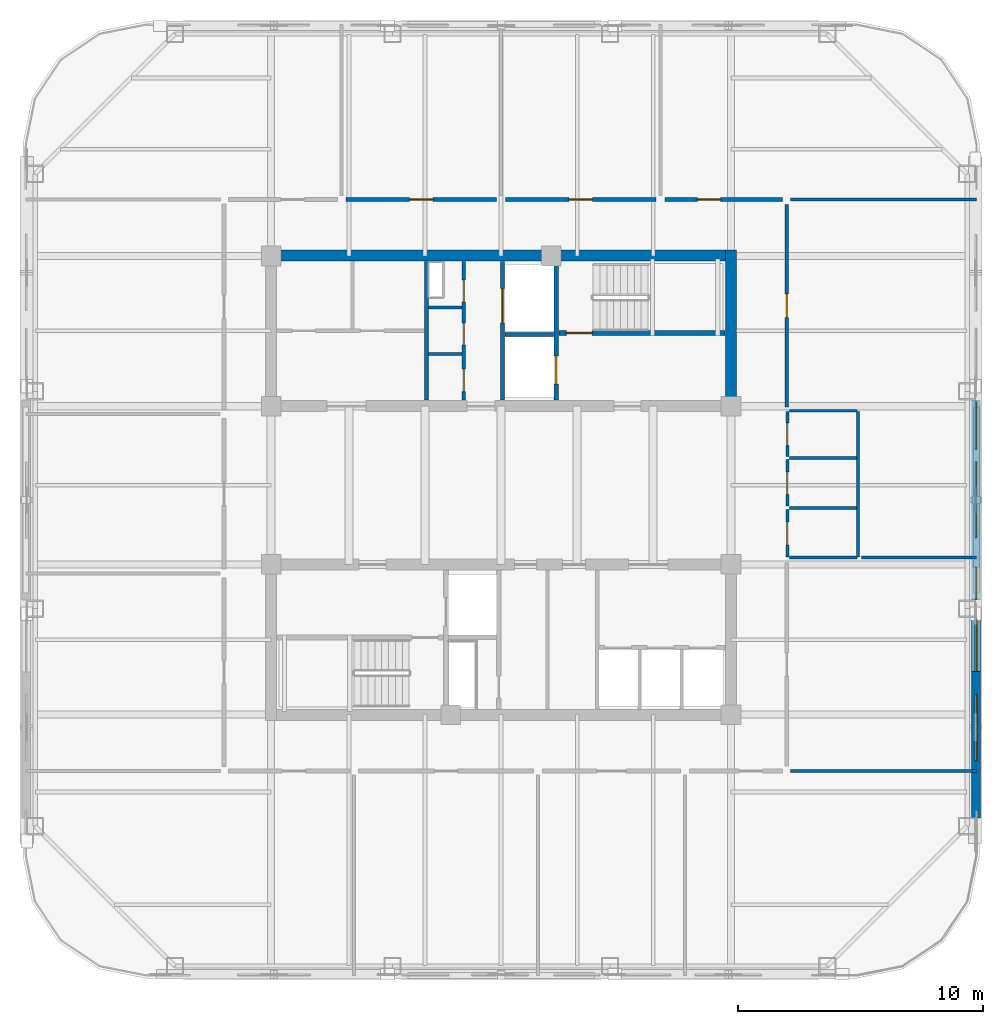
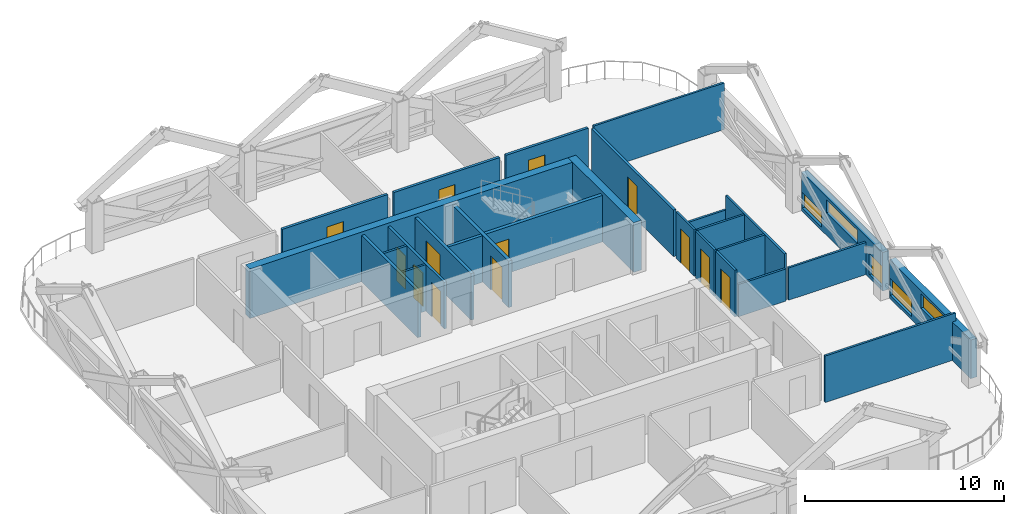
# One storey, part 5 of 9: 27 walls, 13 doors, 5 windows, 18 openings.
"""IFC4 building model written with IfcOpenShell, lengths in metres."""

from ifc_helpers import new_model, si_unit, direction, frame, frame_2d, origin, place, context, subcontext, project, spatial, rectangle, extrude, material, layer, layer_set, type_object, element, fill, save


model = new_model("IFC4")

# Units and contexts
model_context = context("Model", 3, precision=1e-05, world=origin(), true_north=direction((0.0, 1.0)))
body_context = subcontext(model_context, "Body", "Model", "MODEL_VIEW")
ifc_project = project(units=[si_unit("LENGTHUNIT", "METRE"), si_unit("AREAUNIT", "SQUARE_METRE"), si_unit("VOLUMEUNIT", "CUBIC_METRE"), si_unit("PLANEANGLEUNIT", "RADIAN"), si_unit("MASSUNIT", "GRAM", prefix="KILO")], contexts=[model_context])

# Site, building, storey
site_placement = place(None, origin())
site = spatial("IfcSite", under=ifc_project, at=site_placement, CompositionType="ELEMENT")
building_placement = place(site_placement, origin())
building = spatial("IfcBuilding", under=site, at=building_placement, Name="Qhalaya Broadcast Tower", CompositionType="ELEMENT")
storey_placement = place(building_placement, frame((0.0, 0.0, 217.800048828125)))
storey = spatial("IfcBuildingStorey", under=building, at=storey_placement, Name="L64", CompositionType="ELEMENT", Elevation=217.800048828125)

# Wall, openings, doors
ifc_material_1 = material(Name="Gypsum Acoustic Partition")
ifc_layer_1 = layer(ifc_material_1, 0.14990234375, Name="Gypsum Acoustic Partition")
ifc_layer_set_1 = layer_set([ifc_layer_1], Name="Gypsum Acoustic Partition")
wall_type_1 = type_object("IfcWallType", Name="Corridor & Tenancy Acoustic Partition 150", PredefinedType="PARTITIONING", material=ifc_layer_set_1)
wall_1_placement = place(storey_placement, frame((-1.52001953125, 4.070068359375, 0.0), z_axis=(0.0, 0.0, 1.0), x_axis=(0.0, 1.0, 0.0)))
wall_1 = element("IfcWall", 1, at=wall_1_placement, inside=storey, type_object=wall_type_1, Name="L64 Partition Wall NCW-SVL", PredefinedType="PARTITIONING", context=body_context, shape_type="SweptSolid", body=[
    extrude(rectangle(XDim=5.659912109375, YDim=0.14990234375, at=frame_2d((2.830078125, 0.0))), origin(), (0.0, 0.0, 1.0), 2.85986328125),
])
opening_1_placement = place(wall_1_placement, frame((4.0, 0.0, 0.0)))
opening_1 = element("IfcOpeningElement", 2, at=opening_1_placement, cuts=wall_1, Name="Opening D06", PredefinedType="OPENING", context=body_context, shape_type="SweptSolid", body=[
    extrude(rectangle(XDim=0.89990234375, YDim=2.050048828125, at=frame_2d((0.449951171875, 1.02490234375))), frame((0.0, 0.0869140625, 0.0), z_axis=(0.0, -1.0, 0.0), x_axis=(1.0, 0.0, 0.0)), (0.0, 0.0, 1.0), 0.173828125),
])
opening_2_placement = place(wall_1_placement, frame((2.25, 0.0, 0.0)))
opening_2 = element("IfcOpeningElement", 3, at=opening_2_placement, cuts=wall_1, Name="Opening D06", PredefinedType="OPENING", context=body_context, shape_type="SweptSolid", body=[
    extrude(rectangle(XDim=0.89990234375, YDim=2.050048828125, at=frame_2d((0.449951171875, 1.02490234375))), frame((0.0, 0.0869140625, 0.0), z_axis=(0.0, -1.0, 0.0), x_axis=(1.0, 0.0, 0.0)), (0.0, 0.0, 1.0), 0.173828125),
])
opening_3_placement = place(wall_1_placement, frame((0.35009765625, 0.0, 0.0)))
opening_3 = element("IfcOpeningElement", 4, at=opening_3_placement, cuts=wall_1, Name="Opening D12", PredefinedType="OPENING", context=body_context, shape_type="SweptSolid", body=[
    extrude(rectangle(XDim=0.919921875, YDim=2.10009765625, at=frame_2d((0.4599609375, 1.050048828125))), frame((0.0, 0.0869140625, 0.0), z_axis=(0.0, -1.0, 0.0), x_axis=(1.0, 0.0, 0.0)), (0.0, 0.0, 1.0), 0.173828125),
])
ifc_material_2 = material(Name="Timber Veneer Acoustic Door", Category="wood")
door_type_1 = type_object("IfcDoorType", Name="Accessible WC & Restroom Door D12", OperationType="NOTDEFINED", PredefinedType="DOOR", material=ifc_material_2)
door_1_placement = place(opening_3_placement, origin())
door_1 = element("IfcDoor", 5, at=door_1_placement, inside=storey, type_object=door_type_1, Name="L64 Door D-NCWC", OperationType="SINGLE_SWING_RIGHT", OverallHeight=2.10009765625, OverallWidth=0.919921875, PredefinedType="DOOR", context=body_context, shape_type="SweptSolid", body=[
    extrude(rectangle(XDim=0.919921875, YDim=2.10009765625, at=frame_2d((0.4599609375, 1.050048828125))), frame((0.0, 0.02490234375, 0.0), z_axis=(0.0, -1.0, 0.0), x_axis=(1.0, 0.0, 0.0)), (0.0, 0.0, 1.0), 0.050048828125),
])
fill(opening_3, door_1)
ifc_material_3 = material(Name="Fire-Rated Steel Door", Category="steel")
door_type_2 = type_object("IfcDoorType", Name="Riser & Electrical Shaft Access Door D06", OperationType="NOTDEFINED", PredefinedType="DOOR", material=ifc_material_3)
door_2_placement = place(opening_1_placement, origin())
door_2 = element("IfcDoor", 6, at=door_2_placement, inside=storey, type_object=door_type_2, Name="L64 Riser Shaft Access Door D-NRSR", OperationType="SINGLE_SWING_RIGHT", OverallHeight=2.050048828125, OverallWidth=0.89990234375, PredefinedType="DOOR", context=body_context, shape_type="SweptSolid", body=[
    extrude(rectangle(XDim=0.89990234375, YDim=2.050048828125, at=frame_2d((0.449951171875, 1.02490234375))), frame((0.0, 0.02490234375, 0.0), z_axis=(0.0, -1.0, 0.0), x_axis=(1.0, 0.0, 0.0)), (0.0, 0.0, 1.0), 0.050048828125),
])
fill(opening_1, door_2)
door_3_placement = place(opening_2_placement, origin())
door_3 = element("IfcDoor", 7, at=door_3_placement, inside=storey, type_object=door_type_2, Name="L64 Door D-NITR", OperationType="SINGLE_SWING_LEFT", OverallHeight=2.050048828125, OverallWidth=0.89990234375, PredefinedType="DOOR", context=body_context, shape_type="SweptSolid", body=[
    extrude(rectangle(XDim=0.89990234375, YDim=2.050048828125, at=frame_2d((0.449951171875, 1.02490234375))), frame((0.0, 0.02490234375, 0.0), z_axis=(0.0, -1.0, 0.0), x_axis=(1.0, 0.0, 0.0)), (0.0, 0.0, 1.0), 0.050048828125),
])
fill(opening_2, door_3)

# Wall, opening, door
wall_2_placement = place(storey_placement, frame((-6.320068359375, 12.25, 0.0), z_axis=(0.0, 0.0, 1.0), x_axis=(1.0, 0.0, 0.0)))
wall_2 = element("IfcWall", 8, at=wall_2_placement, inside=storey, type_object=wall_type_1, Name="L64 Partition Wall W-COR-02", PredefinedType="PARTITIONING", context=body_context, shape_type="SweptSolid", body=[
    extrude(rectangle(XDim=6.14013671875, YDim=0.14990234375, at=frame_2d((3.070068359375, 0.0))), origin(), (0.0, 0.0, 1.0), 2.85986328125),
])
opening_4_placement = place(wall_2_placement, frame((2.594970703125, 0.0, 0.0)))
opening_4 = element("IfcOpeningElement", 9, at=opening_4_placement, cuts=wall_2, Name="Opening D10", PredefinedType="OPENING", context=body_context, shape_type="SweptSolid", body=[
    extrude(rectangle(XDim=0.949951171875, YDim=2.10009765625, at=frame_2d((0.47509765625, 1.050048828125))), frame((0.0, 0.0869140625, 0.0), z_axis=(0.0, -1.0, 0.0), x_axis=(1.0, 0.0, 0.0)), (0.0, 0.0, 1.0), 0.173828125),
])
door_type_3 = type_object("IfcDoorType", Name="Cellular Office & Edit Booth Door D10", OperationType="NOTDEFINED", PredefinedType="DOOR", material=ifc_material_2)
door_4_placement = place(opening_4_placement, origin())
door_4 = element("IfcDoor", 10, at=door_4_placement, inside=storey, type_object=door_type_3, Name="L64 Door D-RM02", OperationType="SINGLE_SWING_LEFT", OverallHeight=2.10009765625, OverallWidth=0.949951171875, PredefinedType="DOOR", context=body_context, shape_type="SweptSolid", body=[
    extrude(rectangle(XDim=0.949951171875, YDim=2.10009765625, at=frame_2d((0.47509765625, 1.050048828125))), frame((0.0, 0.02490234375, 0.0), z_axis=(0.0, -1.0, 0.0), x_axis=(1.0, 0.0, 0.0)), (0.0, 0.0, 1.0), 0.050048828125),
])
fill(opening_4, door_4)

wall_3_placement = place(storey_placement, frame((0.179931640625, 12.25, 0.0), z_axis=(0.0, 0.0, 1.0), x_axis=(1.0, 0.0, 0.0)))
wall_3 = element("IfcWall", 11, at=wall_3_placement, inside=storey, type_object=wall_type_1, Name="L64 Partition Wall W-COR-03", PredefinedType="PARTITIONING", context=body_context, shape_type="SweptSolid", body=[
    extrude(rectangle(XDim=6.14013671875, YDim=0.14990234375, at=frame_2d((3.070068359375, 0.0))), origin(), (0.0, 0.0, 1.0), 2.85986328125),
])
opening_5_placement = place(wall_3_placement, frame((2.594970703125, 0.0, 0.0)))
opening_5 = element("IfcOpeningElement", 12, at=opening_5_placement, cuts=wall_3, Name="Opening D10", PredefinedType="OPENING", context=body_context, shape_type="SweptSolid", body=[
    extrude(rectangle(XDim=0.949951171875, YDim=2.10009765625, at=frame_2d((0.47509765625, 1.050048828125))), frame((0.0, 0.0869140625, 0.0), z_axis=(0.0, -1.0, 0.0), x_axis=(1.0, 0.0, 0.0)), (0.0, 0.0, 1.0), 0.173828125),
])
door_5_placement = place(opening_5_placement, origin())
door_5 = element("IfcDoor", 13, at=door_5_placement, inside=storey, type_object=door_type_3, Name="L64 Door D-RM03", OperationType="SINGLE_SWING_RIGHT", OverallHeight=2.10009765625, OverallWidth=0.949951171875, PredefinedType="DOOR", context=body_context, shape_type="SweptSolid", body=[
    extrude(rectangle(XDim=0.949951171875, YDim=2.10009765625, at=frame_2d((0.47509765625, 1.050048828125))), frame((0.0, 0.02490234375, 0.0), z_axis=(0.0, -1.0, 0.0), x_axis=(1.0, 0.0, 0.0)), (0.0, 0.0, 1.0), 0.050048828125),
])
fill(opening_5, door_5)

wall_4_placement = place(storey_placement, frame((6.679931640625, 12.25, 0.0), z_axis=(0.0, 0.0, 1.0), x_axis=(1.0, 0.0, 0.0)))
wall_4 = element("IfcWall", 14, at=wall_4_placement, inside=storey, type_object=wall_type_1, Name="L64 Partition Wall W-COR-04", PredefinedType="PARTITIONING", context=body_context, shape_type="SweptSolid", body=[
    extrude(rectangle(XDim=4.7900390625, YDim=0.14990234375, at=frame_2d((2.39501953125, 0.0))), origin(), (0.0, 0.0, 1.0), 2.85986328125),
])
opening_6_placement = place(wall_4_placement, frame((1.320068359375, 0.0, 0.0)))
opening_6 = element("IfcOpeningElement", 15, at=opening_6_placement, cuts=wall_4, Name="Opening D10", PredefinedType="OPENING", context=body_context, shape_type="SweptSolid", body=[
    extrude(rectangle(XDim=0.949951171875, YDim=2.10009765625, at=frame_2d((0.47509765625, 1.050048828125))), frame((0.0, 0.0869140625, 0.0), z_axis=(0.0, -1.0, 0.0), x_axis=(1.0, 0.0, 0.0)), (0.0, 0.0, 1.0), 0.173828125),
])
door_6_placement = place(opening_6_placement, origin())
door_6 = element("IfcDoor", 16, at=door_6_placement, inside=storey, type_object=door_type_3, Name="L64 Door D-RM04", OperationType="SINGLE_SWING_LEFT", OverallHeight=2.10009765625, OverallWidth=0.949951171875, PredefinedType="DOOR", context=body_context, shape_type="SweptSolid", body=[
    extrude(rectangle(XDim=0.949951171875, YDim=2.10009765625, at=frame_2d((0.47509765625, 1.050048828125))), frame((0.0, 0.02490234375, 0.0), z_axis=(0.0, -1.0, 0.0), x_axis=(1.0, 0.0, 0.0)), (0.0, 0.0, 1.0), 0.050048828125),
])
fill(opening_6, door_6)

wall_5_placement = place(storey_placement, frame((11.64990234375, 3.800048828125, 0.0), z_axis=(0.0, 0.0, 1.0), x_axis=(0.0, 1.0, 0.0)))
wall_5 = element("IfcWall", 17, at=wall_5_placement, inside=storey, type_object=wall_type_1, Name="L64 Partition Wall W-COR-13", PredefinedType="PARTITIONING", context=body_context, shape_type="SweptSolid", body=[
    extrude(rectangle(XDim=8.25, YDim=0.14990234375, at=frame_2d((4.125, 0.0))), origin(), (0.0, 0.0, 1.0), 2.85986328125),
])
opening_7_placement = place(wall_5_placement, frame((3.64990234375, 0.0, 0.0)))
opening_7 = element("IfcOpeningElement", 18, at=opening_7_placement, cuts=wall_5, Name="Opening D10", PredefinedType="OPENING", context=body_context, shape_type="SweptSolid", body=[
    extrude(rectangle(XDim=0.949951171875, YDim=2.10009765625, at=frame_2d((0.47509765625, 1.050048828125))), frame((0.0, 0.0869140625, 0.0), z_axis=(0.0, -1.0, 0.0), x_axis=(1.0, 0.0, 0.0)), (0.0, 0.0, 1.0), 0.173828125),
])
door_7_placement = place(opening_7_placement, origin())
door_7 = element("IfcDoor", 19, at=door_7_placement, inside=storey, type_object=door_type_3, Name="L64 Door D-RM13", OperationType="SINGLE_SWING_RIGHT", OverallHeight=2.10009765625, OverallWidth=0.949951171875, PredefinedType="DOOR", context=body_context, shape_type="SweptSolid", body=[
    extrude(rectangle(XDim=0.949951171875, YDim=2.10009765625, at=frame_2d((0.47509765625, 1.050048828125))), frame((0.0, 0.02490234375, 0.0), z_axis=(0.0, -1.0, 0.0), x_axis=(1.0, 0.0, 0.0)), (0.0, 0.0, 1.0), 0.050048828125),
])
fill(opening_7, door_7)

# Wall, openings, windows
ifc_material_4 = material(Name="Precast Concrete C40/50", Category="concrete")
ifc_layer_2 = layer(ifc_material_4, 0.360107421875, Name="Precast Concrete C40/50")
ifc_layer_set_2 = layer_set([ifc_layer_2], Name="Precast Concrete C40/50")
wall_type_2 = type_object("IfcWallType", Name="Insulated Precast Terracotta Exterior Wall 360", PredefinedType="SOLIDWALL", material=ifc_layer_set_2)
wall_6_placement = place(storey_placement, frame((19.360107421875, 4.083251953125, 0.0), z_axis=(0.0, 0.0, 1.0), x_axis=(0.0, -1.0, 0.0)))
wall_6 = element("IfcWall", 20, at=wall_6_placement, inside=storey, type_object=wall_type_2, Name="L64 Exoskeleton Diagrid Infill Wall E2", PredefinedType="SOLIDWALL", context=body_context, shape_type="SweptSolid", body=[
    extrude(rectangle(XDim=8.16650390625, YDim=0.360107421875, at=frame_2d((4.083251953125, 0.0))), origin(), (0.0, 0.0, 1.0), 2.3740234375),
])
opening_8_placement = place(wall_6_placement, frame((0.071044921875, 0.0, 0.199951171875)))
opening_8 = element("IfcOpeningElement", 21, at=opening_8_placement, cuts=wall_6, Name="Opening W13", PredefinedType="OPENING", context=body_context, shape_type="SweptSolid", body=[
    extrude(rectangle(XDim=1.949951171875, YDim=0.949951171875, at=frame_2d((0.97509765625, 0.47509765625))), frame((0.0, 0.192138671875, 0.0), z_axis=(0.0, -1.0, 0.0), x_axis=(1.0, 0.0, 0.0)), (0.0, 0.0, 1.0), 0.384033203125),
])
opening_9_placement = place(wall_6_placement, frame((2.52099609375, 0.0, 1.39990234375)))
opening_9 = element("IfcOpeningElement", 22, at=opening_9_placement, cuts=wall_6, Name="Opening W13", PredefinedType="OPENING", context=body_context, shape_type="SweptSolid", body=[
    extrude(rectangle(XDim=3.10009765625, YDim=0.800048828125, at=frame_2d((1.550048828125, 0.39990234375))), frame((0.0, 0.192138671875, 0.0), z_axis=(0.0, -1.0, 0.0), x_axis=(1.0, 0.0, 0.0)), (0.0, 0.0, 1.0), 0.384033203125),
])
opening_10_placement = place(wall_6_placement, frame((6.821044921875, 0.0, 0.199951171875)))
opening_10 = element("IfcOpeningElement", 23, at=opening_10_placement, cuts=wall_6, Name="Opening W13", PredefinedType="OPENING", context=body_context, shape_type="SweptSolid", body=[
    extrude(rectangle(XDim=1.300048828125, YDim=1.300048828125, at=frame_2d((0.64990234375, 0.64990234375))), frame((0.0, 0.192138671875, 0.0), z_axis=(0.0, -1.0, 0.0), x_axis=(1.0, 0.0, 0.0)), (0.0, 0.0, 1.0), 0.384033203125),
])
ifc_material_5 = material(Name="Solar-Control Low-E Triple Glazing", Category="glass")
window_type = type_object("IfcWindowType", Name="Upper-Block Diagrid Infill Window W13", PartitioningType="SINGLE_PANEL", PredefinedType="WINDOW", material=ifc_material_5)
window_1_placement = place(opening_8_placement, origin())
window_1 = element("IfcWindow", 24, at=window_1_placement, inside=storey, type_object=window_type, Name="L64 Diagrid Infill Window W13-E3", OverallHeight=0.949951171875, OverallWidth=1.949951171875, PartitioningType="SINGLE_PANEL", PredefinedType="WINDOW", context=body_context, shape_type="SweptSolid", body=[
    extrude(rectangle(XDim=1.949951171875, YDim=0.949951171875, at=frame_2d((0.97509765625, 0.47509765625))), frame((0.0, 0.030029296875, 0.0), z_axis=(0.0, -1.0, 0.0), x_axis=(1.0, 0.0, 0.0)), (0.0, 0.0, 1.0), 0.06005859375),
])
fill(opening_8, window_1)
window_2_placement = place(opening_9_placement, origin())
window_2 = element("IfcWindow", 25, at=window_2_placement, inside=storey, type_object=window_type, Name="L64 Diagrid Infill Window W13-E4", OverallHeight=0.800048828125, OverallWidth=3.10009765625, PartitioningType="SINGLE_PANEL", PredefinedType="WINDOW", context=body_context, shape_type="SweptSolid", body=[
    extrude(rectangle(XDim=3.10009765625, YDim=0.800048828125, at=frame_2d((1.550048828125, 0.39990234375))), frame((0.0, 0.030029296875, 0.0), z_axis=(0.0, -1.0, 0.0), x_axis=(1.0, 0.0, 0.0)), (0.0, 0.0, 1.0), 0.06005859375),
])
fill(opening_9, window_2)
window_3_placement = place(opening_10_placement, origin())
window_3 = element("IfcWindow", 26, at=window_3_placement, inside=storey, type_object=window_type, Name="L64 Diagrid Infill Window W13-E5", OverallHeight=1.300048828125, OverallWidth=1.300048828125, PartitioningType="SINGLE_PANEL", PredefinedType="WINDOW", context=body_context, shape_type="SweptSolid", body=[
    extrude(rectangle(XDim=1.300048828125, YDim=1.300048828125, at=frame_2d((0.64990234375, 0.64990234375))), frame((0.0, 0.030029296875, 0.0), z_axis=(0.0, -1.0, 0.0), x_axis=(1.0, 0.0, 0.0)), (0.0, 0.0, 1.0), 0.06005859375),
])
fill(opening_10, window_3)

wall_7_placement = place(storey_placement, frame((19.360107421875, -4.783203125, 0.0), z_axis=(0.0, 0.0, 1.0), x_axis=(0.0, -1.0, 0.0)))
wall_7 = element("IfcWall", 27, at=wall_7_placement, inside=storey, type_object=wall_type_2, Name="L64 Exoskeleton Diagrid Infill Wall E3", PredefinedType="SOLIDWALL", context=body_context, shape_type="SweptSolid", body=[
    extrude(rectangle(XDim=8.1787109375, YDim=0.360107421875, at=frame_2d((4.08935546875, 0.0))), origin(), (0.0, 0.0, 1.0), 2.3740234375),
])
opening_11_placement = place(wall_7_placement, frame((0.054931640625, 0.0, 0.199951171875)))
opening_11 = element("IfcOpeningElement", 28, at=opening_11_placement, cuts=wall_7, Name="Opening W13", PredefinedType="OPENING", context=body_context, shape_type="SweptSolid", body=[
    extrude(rectangle(XDim=2.14990234375, YDim=1.050048828125, at=frame_2d((1.074951171875, 0.52490234375))), frame((0.0, 0.192138671875, 0.0), z_axis=(0.0, -1.0, 0.0), x_axis=(1.0, 0.0, 0.0)), (0.0, 0.0, 1.0), 0.384033203125),
])
opening_12_placement = place(wall_7_placement, frame((3.155029296875, 0.0, 1.300048828125)))
opening_12 = element("IfcOpeningElement", 29, at=opening_12_placement, cuts=wall_7, Name="Opening W13", PredefinedType="OPENING", context=body_context, shape_type="SweptSolid", body=[
    extrude(rectangle(XDim=2.699951171875, YDim=0.89990234375, at=frame_2d((1.35009765625, 0.449951171875))), frame((0.0, 0.192138671875, 0.0), z_axis=(0.0, -1.0, 0.0), x_axis=(1.0, 0.0, 0.0)), (0.0, 0.0, 1.0), 0.384033203125),
])
window_4_placement = place(opening_11_placement, origin())
window_4 = element("IfcWindow", 30, at=window_4_placement, inside=storey, type_object=window_type, Name="L64 Diagrid Infill Window W13-E6", OverallHeight=1.050048828125, OverallWidth=2.14990234375, PartitioningType="SINGLE_PANEL", PredefinedType="WINDOW", context=body_context, shape_type="SweptSolid", body=[
    extrude(rectangle(XDim=2.14990234375, YDim=1.050048828125, at=frame_2d((1.074951171875, 0.52490234375))), frame((0.0, 0.030029296875, 0.0), z_axis=(0.0, -1.0, 0.0), x_axis=(1.0, 0.0, 0.0)), (0.0, 0.0, 1.0), 0.06005859375),
])
fill(opening_11, window_4)
window_5_placement = place(opening_12_placement, origin())
window_5 = element("IfcWindow", 31, at=window_5_placement, inside=storey, type_object=window_type, Name="L64 Diagrid Infill Window W13-E7", OverallHeight=0.89990234375, OverallWidth=2.699951171875, PartitioningType="SINGLE_PANEL", PredefinedType="WINDOW", context=body_context, shape_type="SweptSolid", body=[
    extrude(rectangle(XDim=2.699951171875, YDim=0.89990234375, at=frame_2d((1.35009765625, 0.449951171875))), frame((0.0, 0.030029296875, 0.0), z_axis=(0.0, -1.0, 0.0), x_axis=(1.0, 0.0, 0.0)), (0.0, 0.0, 1.0), 0.06005859375),
])
fill(opening_12, window_5)

# Wall, opening, door
ifc_material_6 = material(Name="Concrete C50/60", Category="concrete")
ifc_layer_3 = layer(ifc_material_6, 0.199951171875, Name="Concrete C50/60")
ifc_layer_set_3 = layer_set([ifc_layer_3], Name="Concrete C50/60")
wall_type_3 = type_object("IfcWallType", Name="Load-Bearing Stair Shaft Wall 200", PredefinedType="SHEAR", material=ifc_layer_set_3)
wall_8_placement = place(storey_placement, frame((2.360107421875, 6.804931640625, 0.0), z_axis=(0.0, 0.0, 1.0), x_axis=(1.0, 0.0, 0.0)))
wall_8 = element("IfcWall", 32, at=wall_8_placement, inside=storey, type_object=wall_type_3, Name="L64 Stair Core Shear Wall NCW-ST1", PredefinedType="SHEAR", context=body_context, shape_type="SweptSolid", body=[
    extrude(rectangle(XDim=6.769775390625, YDim=0.199951171875, at=frame_2d((3.384765625, 0.0))), origin(), (0.0, 0.0, 1.0), 2.85986328125),
])
opening_13_placement = place(wall_8_placement, frame((0.300048828125, 0.0, 0.0)))
opening_13 = element("IfcOpeningElement", 33, at=opening_13_placement, cuts=wall_8, Name="Opening D03", PredefinedType="OPENING", context=body_context, shape_type="SweptSolid", body=[
    extrude(rectangle(XDim=1.050048828125, YDim=2.080078125, at=frame_2d((0.52490234375, 1.0400390625))), frame((0.0, 0.112060546875, 0.0), z_axis=(0.0, -1.0, 0.0), x_axis=(1.0, 0.0, 0.0)), (0.0, 0.0, 1.0), 0.223876953125),
])
door_type_4 = type_object("IfcDoorType", Name="Core Stair Protected Fire Door D03", OperationType="NOTDEFINED", PredefinedType="DOOR", material=ifc_material_3)
door_8_placement = place(opening_13_placement, origin())
door_8 = element("IfcDoor", 34, at=door_8_placement, inside=storey, type_object=door_type_4, Name="L64 Door D-NST1", OperationType="SINGLE_SWING_LEFT", OverallHeight=2.080078125, OverallWidth=1.050048828125, PredefinedType="DOOR", context=body_context, shape_type="SweptSolid", body=[
    extrude(rectangle(XDim=1.050048828125, YDim=2.080078125, at=frame_2d((0.52490234375, 1.0400390625))), frame((0.0, 0.02490234375, 0.0), z_axis=(0.0, -1.0, 0.0), x_axis=(1.0, 0.0, 0.0)), (0.0, 0.0, 1.0), 0.050048828125),
])
fill(opening_13, door_8)

wall_9_placement = place(storey_placement, frame((2.25, 4.070068359375, 0.0), z_axis=(0.0, 0.0, 1.0), x_axis=(0.0, 1.0, 0.0)))
wall_9 = element("IfcWall", 35, at=wall_9_placement, inside=storey, type_object=wall_type_3, Name="L64 Stair Core Shear Wall NCW-FF", PredefinedType="SHEAR", context=body_context, shape_type="SweptSolid", body=[
    extrude(rectangle(XDim=5.659912109375, YDim=0.199951171875, at=frame_2d((2.830078125, 0.0))), origin(), (0.0, 0.0, 1.0), 2.85986328125),
])
opening_14_placement = place(wall_9_placement, frame((0.64990234375, 0.0, 0.0)))
opening_14 = element("IfcOpeningElement", 36, at=opening_14_placement, cuts=wall_9, Name="Opening LD2", PredefinedType="OPENING", context=body_context, shape_type="SweptSolid", body=[
    extrude(rectangle(XDim=1.14990234375, YDim=2.080078125, at=frame_2d((0.574951171875, 1.0400390625))), frame((0.0, 0.112060546875, 0.0), z_axis=(0.0, -1.0, 0.0), x_axis=(1.0, 0.0, 0.0)), (0.0, 0.0, 1.0), 0.223876953125),
])
ifc_material_7 = material(Name="Brushed Stainless Steel Lift Door", Category="steel")
door_type_5 = type_object("IfcDoorType", Name="Firefighting Lift Sliding Landing Door LD2", OperationType="DOUBLE_DOOR_SLIDING", PredefinedType="DOOR", material=ifc_material_7)
door_9_placement = place(opening_14_placement, origin())
door_9 = element("IfcDoor", 37, at=door_9_placement, inside=storey, type_object=door_type_5, Name="L64 Door LD-FF1", OperationType="DOUBLE_DOOR_SLIDING", OverallHeight=2.080078125, OverallWidth=1.14990234375, PredefinedType="DOOR", context=body_context, shape_type="SweptSolid", body=[
    extrude(rectangle(XDim=1.14990234375, YDim=2.080078125, at=frame_2d((0.574951171875, 1.0400390625))), frame((0.0, 0.02490234375, 0.0), z_axis=(0.0, -1.0, 0.0), x_axis=(1.0, 0.0, 0.0)), (0.0, 0.0, 1.0), 0.050048828125),
])
fill(opening_14, door_9)

# Walls
ifc_layer_4 = layer(ifc_material_1, 0.1201171875, Name="Gypsum Acoustic Partition")
ifc_layer_set_4 = layer_set([ifc_layer_4], Name="Gypsum Acoustic Partition")
wall_type_4 = type_object("IfcWallType", Name="Office, Booth & Sanitary Partition 120", PredefinedType="PARTITIONING", material=ifc_layer_set_4)
for number, where, z_axis, x_axis, name in (
    (38, (-2.9599609375, 5.949951171875, 0.0), (0.0, 0.0, 1.0), (1.0, 0.0, 0.0), "L64 Partition Wall NCW-VB1"),
    (39, (-2.9599609375, 7.85009765625, 0.0), (0.0, 0.0, 1.0), (1.0, 0.0, 0.0), "L64 Partition Wall NCW-VB2"),
):
    element("IfcWall", number, at=place(storey_placement, frame(where, z_axis=z_axis, x_axis=x_axis)), inside=storey, type_object=wall_type_4, Name=name, PredefinedType="PARTITIONING", context=body_context, shape_type="SweptSolid", body=[
        extrude(rectangle(XDim=1.35986328125, YDim=0.1201171875, at=frame_2d((0.679931640625, 0.0))), origin(), (0.0, 0.0, 1.0), 2.85986328125),
    ])

# Wall, opening, door
wall_10_placement = place(storey_placement, frame((11.669921875, -2.320068359375, 0.0), z_axis=(0.0, 0.0, 1.0), x_axis=(0.0, 1.0, 0.0)))
wall_10 = element("IfcWall", 40, at=wall_10_placement, inside=storey, type_object=wall_type_4, Name="L64 Partition Wall W-WCWA", PredefinedType="PARTITIONING", context=body_context, shape_type="SweptSolid", body=[
    extrude(rectangle(XDim=1.940185546875, YDim=0.1201171875, at=frame_2d((0.97021484375, 0.0))), origin(), (0.0, 0.0, 1.0), 2.85986328125),
])
opening_15_placement = place(wall_10_placement, frame((0.4951171875, 0.0, 0.0)))
opening_15 = element("IfcOpeningElement", 41, at=opening_15_placement, cuts=wall_10, Name="Opening D12", PredefinedType="OPENING", context=body_context, shape_type="SweptSolid", body=[
    extrude(rectangle(XDim=0.919921875, YDim=2.10009765625, at=frame_2d((0.4599609375, 1.050048828125))), frame((0.0, 0.072021484375, 0.0), z_axis=(0.0, -1.0, 0.0), x_axis=(1.0, 0.0, 0.0)), (0.0, 0.0, 1.0), 0.14404296875),
])
door_10_placement = place(opening_15_placement, origin())
door_10 = element("IfcDoor", 42, at=door_10_placement, inside=storey, type_object=door_type_1, Name="L64 Door D-WCA", OperationType="SINGLE_SWING_LEFT", OverallHeight=2.10009765625, OverallWidth=0.919921875, PredefinedType="DOOR", context=body_context, shape_type="SweptSolid", body=[
    extrude(rectangle(XDim=0.919921875, YDim=2.10009765625, at=frame_2d((0.4599609375, 1.050048828125))), frame((0.0, 0.02490234375, 0.0), z_axis=(0.0, -1.0, 0.0), x_axis=(1.0, 0.0, 0.0)), (0.0, 0.0, 1.0), 0.050048828125),
])
fill(opening_15, door_10)

wall_11_placement = place(storey_placement, frame((11.669921875, -0.25, 0.0), z_axis=(0.0, 0.0, 1.0), x_axis=(0.0, 1.0, 0.0)))
wall_11 = element("IfcWall", 43, at=wall_11_placement, inside=storey, type_object=wall_type_4, Name="L64 Partition Wall W-WCWM", PredefinedType="PARTITIONING", context=body_context, shape_type="SweptSolid", body=[
    extrude(rectangle(XDim=1.89990234375, YDim=0.1201171875, at=frame_2d((0.949951171875, 0.0))), origin(), (0.0, 0.0, 1.0), 2.85986328125),
])
opening_16_placement = place(wall_11_placement, frame((0.47509765625, 0.0, 0.0)))
opening_16 = element("IfcOpeningElement", 44, at=opening_16_placement, cuts=wall_11, Name="Opening D12", PredefinedType="OPENING", context=body_context, shape_type="SweptSolid", body=[
    extrude(rectangle(XDim=0.919921875, YDim=2.10009765625, at=frame_2d((0.4599609375, 1.050048828125))), frame((0.0, 0.072021484375, 0.0), z_axis=(0.0, -1.0, 0.0), x_axis=(1.0, 0.0, 0.0)), (0.0, 0.0, 1.0), 0.14404296875),
])
door_11_placement = place(opening_16_placement, origin())
door_11 = element("IfcDoor", 45, at=door_11_placement, inside=storey, type_object=door_type_1, Name="L64 Door D-WCM", OperationType="SINGLE_SWING_RIGHT", OverallHeight=2.10009765625, OverallWidth=0.919921875, PredefinedType="DOOR", context=body_context, shape_type="SweptSolid", body=[
    extrude(rectangle(XDim=0.919921875, YDim=2.10009765625, at=frame_2d((0.4599609375, 1.050048828125))), frame((0.0, 0.02490234375, 0.0), z_axis=(0.0, -1.0, 0.0), x_axis=(1.0, 0.0, 0.0)), (0.0, 0.0, 1.0), 0.050048828125),
])
fill(opening_16, door_11)

wall_12_placement = place(storey_placement, frame((11.669921875, 1.780029296875, 0.0), z_axis=(0.0, 0.0, 1.0), x_axis=(0.0, 1.0, 0.0)))
wall_12 = element("IfcWall", 46, at=wall_12_placement, inside=storey, type_object=wall_type_4, Name="L64 Partition Wall W-WCWF", PredefinedType="PARTITIONING", context=body_context, shape_type="SweptSolid", body=[
    extrude(rectangle(XDim=1.830078125, YDim=0.1201171875, at=frame_2d((0.9150390625, 0.0))), origin(), (0.0, 0.0, 1.0), 2.85986328125),
])
opening_17_placement = place(wall_12_placement, frame((0.43994140625, 0.0, 0.0)))
opening_17 = element("IfcOpeningElement", 47, at=opening_17_placement, cuts=wall_12, Name="Opening D12", PredefinedType="OPENING", context=body_context, shape_type="SweptSolid", body=[
    extrude(rectangle(XDim=0.919921875, YDim=2.10009765625, at=frame_2d((0.4599609375, 1.050048828125))), frame((0.0, 0.072021484375, 0.0), z_axis=(0.0, -1.0, 0.0), x_axis=(1.0, 0.0, 0.0)), (0.0, 0.0, 1.0), 0.14404296875),
])
door_12_placement = place(opening_17_placement, origin())
door_12 = element("IfcDoor", 48, at=door_12_placement, inside=storey, type_object=door_type_1, Name="L64 Door D-WCF", OperationType="SINGLE_SWING_LEFT", OverallHeight=2.10009765625, OverallWidth=0.919921875, PredefinedType="DOOR", context=body_context, shape_type="SweptSolid", body=[
    extrude(rectangle(XDim=0.919921875, YDim=2.10009765625, at=frame_2d((0.4599609375, 1.050048828125))), frame((0.0, 0.02490234375, 0.0), z_axis=(0.0, -1.0, 0.0), x_axis=(1.0, 0.0, 0.0)), (0.0, 0.0, 1.0), 0.050048828125),
])
fill(opening_17, door_12)

# Walls
wall_13_placement = place(storey_placement, frame((14.550048828125, -2.320068359375, 0.0), z_axis=(0.0, 0.0, 1.0), x_axis=(0.0, 1.0, 0.0)))
element("IfcWall", 49, at=wall_13_placement, inside=storey, type_object=wall_type_4, Name="L64 Partition Wall W-WCE", PredefinedType="PARTITIONING", context=body_context, shape_type="SweptSolid", body=[
    extrude(rectangle(XDim=5.93017578125, YDim=0.1201171875, at=frame_2d((2.965087890625, 0.0))), origin(), (0.0, 0.0, 1.0), 2.85986328125),
])
for number, where, z_axis, x_axis, name in (
    (50, (11.760009765625, -2.35009765625, 0.0), (0.0, 0.0, 1.0), (1.0, 0.0, 0.0), "L64 Partition Wall W-WCS"),
    (51, (11.760009765625, 3.639892578125, 0.0), (0.0, 0.0, 1.0), (1.0, 0.0, 0.0), "L64 Partition Wall W-WCN"),
):
    element("IfcWall", number, at=place(storey_placement, frame(where, z_axis=z_axis, x_axis=x_axis)), inside=storey, type_object=wall_type_4, Name=name, PredefinedType="PARTITIONING", context=body_context, shape_type="SweptSolid", body=[
        extrude(rectangle(XDim=2.760009765625, YDim=0.1201171875, at=frame_2d((1.3798828125, 0.0))), origin(), (0.0, 0.0, 1.0), 1.98095703125),
    ])
for number, where, z_axis, x_axis, name in (
    (52, (11.760009765625, -0.320068359375, 0.0), (0.0, 0.0, 1.0), (1.0, 0.0, 0.0), "L64 Partition Wall W-WCD1"),
    (53, (11.760009765625, 1.719970703125, 0.0), (0.0, 0.0, 1.0), (1.0, 0.0, 0.0), "L64 Partition Wall W-WCD2"),
):
    element("IfcWall", number, at=place(storey_placement, frame(where, z_axis=z_axis, x_axis=x_axis)), inside=storey, type_object=wall_type_4, Name=name, PredefinedType="PARTITIONING", context=body_context, shape_type="SweptSolid", body=[
        extrude(rectangle(XDim=2.719970703125, YDim=0.1201171875, at=frame_2d((1.35986328125, 0.0))), origin(), (0.0, 0.0, 1.0), 2.85986328125),
    ])
for number, where, z_axis, x_axis, name in (
    (54, (11.7900390625, 12.25, 0.0), (0.0, 0.0, 1.0), (1.0, 0.0, 0.0), "L64 Partition Wall W-BNDE1"),
    (55, (11.7900390625, -11.050048828125, 0.0), (0.0, 0.0, 1.0), (1.0, 0.0, 0.0), "L64 Partition Wall W-BNDE2"),
):
    element("IfcWall", number, at=place(storey_placement, frame(where, z_axis=z_axis, x_axis=x_axis)), inside=storey, type_object=wall_type_4, Name=name, PredefinedType="PARTITIONING", context=body_context, shape_type="SweptSolid", body=[
        extrude(rectangle(XDim=7.58984375, YDim=0.1201171875, at=frame_2d((3.794921875, 0.0))), origin(), (0.0, 0.0, 1.0), 2.85986328125),
    ])
wall_14_placement = place(storey_placement, frame((14.68994140625, -2.35009765625, 0.0), z_axis=(0.0, 0.0, 1.0), x_axis=(1.0, 0.0, 0.0)))
element("IfcWall", 56, at=wall_14_placement, inside=storey, type_object=wall_type_4, Name="L64 Partition Wall W-DIVE-WC", PredefinedType="PARTITIONING", context=body_context, shape_type="SweptSolid", body=[
    extrude(rectangle(XDim=4.68994140625, YDim=0.1201171875, at=frame_2d((2.344970703125, 0.0))), origin(), (0.0, 0.0, 1.0), 1.98095703125),
])

# Wall, opening, door
ifc_layer_5 = layer(ifc_material_1, 0.175048828125, Name="Gypsum Acoustic Partition")
ifc_layer_set_5 = layer_set([ifc_layer_5], Name="Gypsum Acoustic Partition")
wall_type_5 = type_object("IfcWallType", Name="Shaft & Riser Fire Partition 175", PredefinedType="PARTITIONING", material=ifc_layer_set_5)
wall_15_placement = place(storey_placement, frame((0.06005859375, 4.070068359375, 0.0), z_axis=(0.0, 0.0, 1.0), x_axis=(0.0, 1.0, 0.0)))
wall_15 = element("IfcWall", 57, at=wall_15_placement, inside=storey, type_object=wall_type_5, Name="L64 Partition Wall NCW-SVW", PredefinedType="PARTITIONING", context=body_context, shape_type="SweptSolid", body=[
    extrude(rectangle(XDim=5.659912109375, YDim=0.175048828125, at=frame_2d((2.830078125, 0.0))), origin(), (0.0, 0.0, 1.0), 2.85986328125),
])
opening_18_placement = place(wall_15_placement, frame((3.14990234375, 0.0, 0.0)))
opening_18 = element("IfcOpeningElement", 58, at=opening_18_placement, cuts=wall_15, Name="Opening LD3", PredefinedType="OPENING", context=body_context, shape_type="SweptSolid", body=[
    extrude(rectangle(XDim=1.39990234375, YDim=2.1201171875, at=frame_2d((0.699951171875, 1.06005859375))), frame((0.0, 0.099609375, 0.0), z_axis=(0.0, -1.0, 0.0), x_axis=(1.0, 0.0, 0.0)), (0.0, 0.0, 1.0), 0.198974609375),
])
door_type_6 = type_object("IfcDoorType", Name="Service Lift Wide Sliding Landing Door LD3", OperationType="DOUBLE_DOOR_SLIDING", PredefinedType="DOOR", material=ifc_material_7)
door_13_placement = place(opening_18_placement, origin())
door_13 = element("IfcDoor", 59, at=door_13_placement, inside=storey, type_object=door_type_6, Name="L64 Door LD-SV1", OperationType="DOUBLE_DOOR_SLIDING", OverallHeight=2.1201171875, OverallWidth=1.39990234375, PredefinedType="DOOR", context=body_context, shape_type="SweptSolid", body=[
    extrude(rectangle(XDim=1.39990234375, YDim=2.1201171875, at=frame_2d((0.699951171875, 1.06005859375))), frame((0.0, 0.02490234375, 0.0), z_axis=(0.0, -1.0, 0.0), x_axis=(1.0, 0.0, 0.0)), (0.0, 0.0, 1.0), 0.050048828125),
])
fill(opening_18, door_13)

# Walls
wall_16_placement = place(storey_placement, frame((0.159912109375, 6.75, 0.0), z_axis=(0.0, 0.0, 1.0), x_axis=(1.0, 0.0, 0.0)))
element("IfcWall", 60, at=wall_16_placement, inside=storey, type_object=wall_type_5, Name="L64 Partition Wall NCW-SVM", PredefinedType="PARTITIONING", context=body_context, shape_type="SweptSolid", body=[
    extrude(rectangle(XDim=1.97998046875, YDim=0.175048828125, at=frame_2d((0.989990234375, 0.0))), origin(), (0.0, 0.0, 1.0), 2.85986328125),
])
wall_17_placement = place(storey_placement, frame((-3.0400390625, 4.070068359375, 0.0), z_axis=(0.0, 0.0, 1.0), x_axis=(0.0, 1.0, 0.0)))
element("IfcWall", 61, at=wall_17_placement, inside=storey, type_object=wall_type_5, Name="L64 Partition Wall NCW-VRW", PredefinedType="PARTITIONING", context=body_context, shape_type="SweptSolid", body=[
    extrude(rectangle(XDim=5.659912109375, YDim=0.175048828125, at=frame_2d((2.830078125, 0.0))), origin(), (0.0, 0.0, 1.0), 2.85986328125),
])
ifc_layer_6 = layer(ifc_material_6, 0.449951171875, Name="Concrete C50/60")
ifc_layer_set_6 = layer_set([ifc_layer_6], Name="Concrete C50/60")
wall_type_6 = type_object("IfcWallType", Name="Upper Split-Core Shear Wall 450", PredefinedType="SHEAR", material=ifc_layer_set_6)
wall_18_placement = place(storey_placement, frame((-9.60009765625, 9.97509765625, 0.0), z_axis=(0.0, 0.0, 1.0), x_axis=(1.0, 0.0, 0.0)))
element("IfcWall", 62, at=wall_18_placement, inside=storey, type_object=wall_type_6, Name="L64 Split-Core Shear Wall CW-NN", PredefinedType="SHEAR", context=body_context, shape_type="SweptSolid", body=[
    extrude(rectangle(XDim=19.2001953125, YDim=0.449951171875, at=frame_2d((9.60009765625, 0.0))), origin(), (0.0, 0.0, 1.0), 3.050048828125),
])
wall_19_placement = place(storey_placement, frame((9.375, 3.60009765625, 0.0), z_axis=(0.0, 0.0, 1.0), x_axis=(0.0, 1.0, 0.0)))
element("IfcWall", 63, at=wall_19_placement, inside=storey, type_object=wall_type_6, Name="L64 Split-Core Shear Wall CW-NE", PredefinedType="SHEAR", context=body_context, shape_type="SweptSolid", body=[
    extrude(rectangle(XDim=6.599853515625, YDim=0.449951171875, at=frame_2d((3.2998046875, 0.0))), origin(), (0.0, 0.0, 1.0), 3.050048828125),
])

save(model, "model.ifc")
